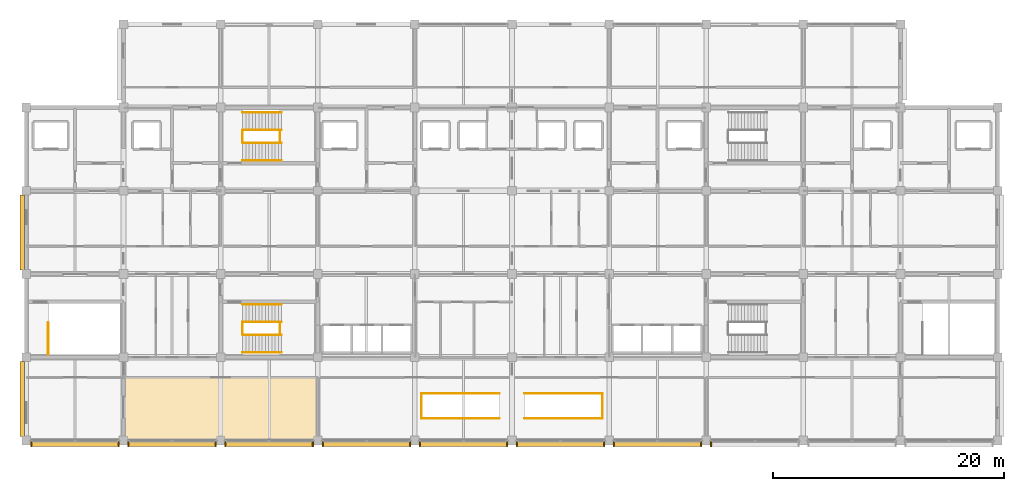
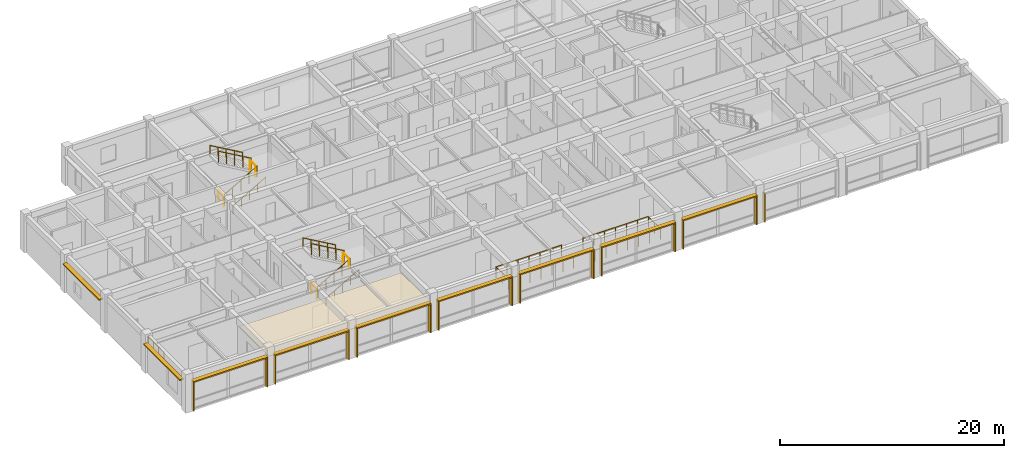
# One storey, part 21 of 23: 24 shading devices, 19 railings, 1 covering.
"""IFC4 building model written with IfcOpenShell, lengths in metres."""

from ifc_helpers import new_model, si_unit, direction, frame, origin, origin_2d, place, context, subcontext, project, spatial, polyline, rectangle, circle, outline, extrude, material, layer, layer_set, type_object, element, save


model = new_model("IFC4")

# Units and contexts
model_context = context("Model", 3, precision=1e-05, world=origin(), true_north=direction((0.0, 1.0)))
body_context = subcontext(model_context, "Body", "Model", "MODEL_VIEW")
ifc_project = project(units=[si_unit("LENGTHUNIT", "METRE"), si_unit("AREAUNIT", "SQUARE_METRE"), si_unit("VOLUMEUNIT", "CUBIC_METRE"), si_unit("PLANEANGLEUNIT", "RADIAN"), si_unit("MASSUNIT", "GRAM", prefix="KILO")], contexts=[model_context])

# Site, building, storey
site_placement = place(None, origin())
site = spatial("IfcSite", under=ifc_project, at=site_placement, CompositionType="ELEMENT")
building_placement = place(site_placement, origin())
building = spatial("IfcBuilding", under=site, at=building_placement, Name="Chengyuan Square Courthouse", CompositionType="ELEMENT")
storey_placement = place(building_placement, frame((0.0, 0.0, 43.5)))
storey = spatial("IfcBuildingStorey", under=building, at=storey_placement, Name="L10", CompositionType="ELEMENT", Elevation=43.5)

# Covering
ifc_material_1 = material(Name="Perforated Larch Glulam Acoustic Slat Ceiling", Category="wood")
ifc_layer = layer(ifc_material_1, 0.044921875)
ifc_layer_set = layer_set([ifc_layer], Name="Perforated Larch Glulam Acoustic Slat Ceiling")
covering_type = type_object("IfcCoveringType", Name="CLG-01", PredefinedType="CEILING", material=ifc_layer_set)
covering_placement = place(storey_placement, frame((0.0, 0.0, 2.85009765625)))
element("IfcCovering", 1, at=covering_placement, inside=storey, type_object=covering_type, Name="Acoustic Timber Slat Ceiling CLG-L10-CRT-A1", PredefinedType="CEILING", context=body_context, shape_type="SweptSolid", body=[
    extrude(outline(polyline([(50.449951171875, 79.25), (67.14990234375, 79.25), (67.14990234375, 84.60009765625), (50.449951171875, 84.60009765625), (50.449951171875, 79.25)])), origin(), (0.0, 0.0, 1.0), 0.044921875),
])

# Railings
ifc_material_2 = material(Name="Tempered Glass and Timber Top-Rail Balustrade", Category="wood")
railing_type_1 = type_object("IfcRailingType", Name="RL-02", PredefinedType="BALUSTRADE", material=ifc_material_2)
for number, where, name in (
    (2, (60.68994140625, 105.0, 0.0), "Stair Floor Slot Guard ST-1 L10"),
    (3, (63.949951171875, 105.0, 2.10009765625), "Stair Landing Guard ST-1-L10"),
):
    element("IfcRailing", number, at=place(storey_placement, frame(where)), inside=storey, type_object=railing_type_1, Name=name, PredefinedType="BALUSTRADE", context=body_context, shape_type="SweptSolid", body=[
        extrude(circle(Radius=0.02392578125, at=origin_2d()), frame((0.0, 0.0, 1.17578125), z_axis=(0.0, 1.0, 0.0), x_axis=(-1.0, 0.0, 0.0)), (0.0, 0.0, 1.0), 1.0),
        extrude(circle(Radius=0.02099609375, at=origin_2d()), origin(), (0.0, 0.0, 1.0), 1.15185546875),
        extrude(circle(Radius=0.02099609375, at=origin_2d()), frame((0.0, 1.0, 0.0)), (0.0, 0.0, 1.0), 1.15185546875),
    ])
railing_1_placement = place(storey_placement, frame((60.7099609375, 104.949951171875, 0.16162109375)))
element("IfcRailing", 4, at=railing_1_placement, inside=storey, type_object=railing_type_1, Name="Stair Flight 1 Guard ST-1-L10", PredefinedType="BALUSTRADE", context=body_context, shape_type="SweptSolid", body=[
    extrude(circle(Radius=0.02392578125, at=origin_2d()), frame((0.0, 0.0, 1.17578125), z_axis=(0.866190824863, 0.0, 0.499713372768), x_axis=(0.0, 1.0, 0.0)), (0.0, 0.0, 1.0), 3.879150390625),
    extrude(circle(Radius=0.02099609375, at=origin_2d()), origin(), (0.0, 0.0, 1.0), 1.15185546875),
    extrude(circle(Radius=0.02099609375, at=origin_2d()), frame((0.840087890625, 0.0, 0.484619140625)), (0.0, 0.0, 1.0), 1.15185546875),
    extrude(circle(Radius=0.02099609375, at=origin_2d()), frame((1.68017578125, 0.0, 0.96923828125)), (0.0, 0.0, 1.0), 1.15185546875),
    extrude(circle(Radius=0.02099609375, at=origin_2d()), frame((2.52001953125, 0.0, 1.453857421875)), (0.0, 0.0, 1.0), 1.15185546875),
    extrude(circle(Radius=0.02099609375, at=origin_2d()), frame((3.360107421875, 0.0, 1.9384765625)), (0.0, 0.0, 1.0), 1.15185546875),
])
railing_2_placement = place(storey_placement, frame((64.070068359375, 106.050048828125, 2.261474609375)))
element("IfcRailing", 5, at=railing_2_placement, inside=storey, type_object=railing_type_1, Name="Stair Flight 2 Guard ST-1-L10", PredefinedType="BALUSTRADE", context=body_context, shape_type="SweptSolid", body=[
    extrude(circle(Radius=0.02392578125, at=origin_2d()), frame((0.0, 0.0, 1.17578125), z_axis=(-0.866190824863, 0.0, 0.499713372768), x_axis=(0.0, -1.0, 0.0)), (0.0, 0.0, 1.0), 3.879150390625),
    extrude(circle(Radius=0.02099609375, at=origin_2d()), origin(), (0.0, 0.0, 1.0), 1.15185546875),
    extrude(circle(Radius=0.02099609375, at=origin_2d()), frame((-0.840087890625, 0.0, 0.484619140625)), (0.0, 0.0, 1.0), 1.15185546875),
    extrude(circle(Radius=0.02099609375, at=origin_2d()), frame((-1.68017578125, 0.0, 0.96923828125)), (0.0, 0.0, 1.0), 1.15185546875),
    extrude(circle(Radius=0.02099609375, at=origin_2d()), frame((-2.52001953125, 0.0, 1.453857421875)), (0.0, 0.0, 1.0), 1.15185546875),
    extrude(circle(Radius=0.02099609375, at=origin_2d()), frame((-3.360107421875, 0.0, 1.9384765625)), (0.0, 0.0, 1.0), 1.15185546875),
])
for number, where, name in (
    (6, (60.68994140625, 88.39990234375, 0.0), "Stair Floor Slot Guard ST-3 L10"),
    (7, (63.949951171875, 88.39990234375, 2.10009765625), "Stair Landing Guard ST-3-L10"),
):
    element("IfcRailing", number, at=place(storey_placement, frame(where)), inside=storey, type_object=railing_type_1, Name=name, PredefinedType="BALUSTRADE", context=body_context, shape_type="SweptSolid", body=[
        extrude(circle(Radius=0.02392578125, at=origin_2d()), frame((0.0, 0.0, 1.17578125), z_axis=(0.0, 1.0, 0.0), x_axis=(-1.0, 0.0, 0.0)), (0.0, 0.0, 1.0), 1.0),
        extrude(circle(Radius=0.02099609375, at=origin_2d()), origin(), (0.0, 0.0, 1.0), 1.15185546875),
        extrude(circle(Radius=0.02099609375, at=origin_2d()), frame((0.0, 1.0, 0.0)), (0.0, 0.0, 1.0), 1.15185546875),
    ])
railing_3_placement = place(storey_placement, frame((60.7099609375, 88.35009765625, 0.16162109375)))
element("IfcRailing", 8, at=railing_3_placement, inside=storey, type_object=railing_type_1, Name="Stair Flight 1 Guard ST-3-L10", PredefinedType="BALUSTRADE", context=body_context, shape_type="SweptSolid", body=[
    extrude(circle(Radius=0.02392578125, at=origin_2d()), frame((0.0, 0.0, 1.17578125), z_axis=(0.866190824863, 0.0, 0.499713372768), x_axis=(0.0, 1.0, 0.0)), (0.0, 0.0, 1.0), 3.879150390625),
    extrude(circle(Radius=0.02099609375, at=origin_2d()), origin(), (0.0, 0.0, 1.0), 1.15185546875),
    extrude(circle(Radius=0.02099609375, at=origin_2d()), frame((0.840087890625, 0.0, 0.484619140625)), (0.0, 0.0, 1.0), 1.15185546875),
    extrude(circle(Radius=0.02099609375, at=origin_2d()), frame((1.68017578125, 0.0, 0.96923828125)), (0.0, 0.0, 1.0), 1.15185546875),
    extrude(circle(Radius=0.02099609375, at=origin_2d()), frame((2.52001953125, 0.0, 1.453857421875)), (0.0, 0.0, 1.0), 1.15185546875),
    extrude(circle(Radius=0.02099609375, at=origin_2d()), frame((3.360107421875, 0.0, 1.9384765625)), (0.0, 0.0, 1.0), 1.15185546875),
])
railing_4_placement = place(storey_placement, frame((64.070068359375, 89.449951171875, 2.261474609375)))
element("IfcRailing", 9, at=railing_4_placement, inside=storey, type_object=railing_type_1, Name="Stair Flight 2 Guard ST-3-L10", PredefinedType="BALUSTRADE", context=body_context, shape_type="SweptSolid", body=[
    extrude(circle(Radius=0.02392578125, at=origin_2d()), frame((0.0, 0.0, 1.17578125), z_axis=(-0.866190824863, 0.0, 0.499713372768), x_axis=(0.0, -1.0, 0.0)), (0.0, 0.0, 1.0), 3.879150390625),
    extrude(circle(Radius=0.02099609375, at=origin_2d()), origin(), (0.0, 0.0, 1.0), 1.15185546875),
    extrude(circle(Radius=0.02099609375, at=origin_2d()), frame((-0.840087890625, 0.0, 0.484619140625)), (0.0, 0.0, 1.0), 1.15185546875),
    extrude(circle(Radius=0.02099609375, at=origin_2d()), frame((-1.68017578125, 0.0, 0.96923828125)), (0.0, 0.0, 1.0), 1.15185546875),
    extrude(circle(Radius=0.02099609375, at=origin_2d()), frame((-2.52001953125, 0.0, 1.453857421875)), (0.0, 0.0, 1.0), 1.15185546875),
    extrude(circle(Radius=0.02099609375, at=origin_2d()), frame((-3.360107421875, 0.0, 1.9384765625)), (0.0, 0.0, 1.0), 1.15185546875),
])
railing_5_placement = place(storey_placement, frame((43.889892578125, 86.64990234375, 0.0)))
element("IfcRailing", 10, at=railing_5_placement, inside=storey, type_object=railing_type_1, Name="Stair Top Landing Guard ST-5 L10", PredefinedType="BALUSTRADE", context=body_context, shape_type="SweptSolid", body=[
    extrude(circle(Radius=0.02392578125, at=origin_2d()), frame((0.0, 0.0, 1.17578125), z_axis=(0.0, 1.0, 0.0), x_axis=(-1.0, 0.0, 0.0)), (0.0, 0.0, 1.0), 2.75),
    extrude(circle(Radius=0.02099609375, at=origin_2d()), origin(), (0.0, 0.0, 1.0), 1.15185546875),
    extrude(circle(Radius=0.02099609375, at=origin_2d()), frame((0.0, 0.916748046875, 0.0)), (0.0, 0.0, 1.0), 1.15185546875),
    extrude(circle(Radius=0.02099609375, at=origin_2d()), frame((0.0, 1.833251953125, 0.0)), (0.0, 0.0, 1.0), 1.15185546875),
    extrude(circle(Radius=0.02099609375, at=origin_2d()), frame((0.0, 2.75, 0.0)), (0.0, 0.0, 1.0), 1.15185546875),
])
railing_6_placement = place(storey_placement, frame((82.89990234375, 81.1201171875, 0.0)))
element("IfcRailing", 11, at=railing_6_placement, inside=storey, type_object=railing_type_1, Name="Feature Stair Well Guard ST-11C S", PredefinedType="BALUSTRADE", context=body_context, shape_type="SweptSolid", body=[
    extrude(circle(Radius=0.02392578125, at=origin_2d()), frame((0.0, 0.0, 1.17578125), z_axis=(-1.0, 0.0, 0.0), x_axis=(0.0, -1.0, 0.0)), (0.0, 0.0, 1.0), 6.72998046875),
    extrude(circle(Radius=0.02099609375, at=origin_2d()), origin(), (0.0, 0.0, 1.0), 1.15185546875),
    extrude(circle(Radius=0.02099609375, at=origin_2d()), frame((-1.12158203125, 0.0, 0.0)), (0.0, 0.0, 1.0), 1.15185546875),
    extrude(circle(Radius=0.02099609375, at=origin_2d()), frame((-2.243408203125, 0.0, 0.0)), (0.0, 0.0, 1.0), 1.15185546875),
    extrude(circle(Radius=0.02099609375, at=origin_2d()), frame((-3.364990234375, 0.0, 0.0)), (0.0, 0.0, 1.0), 1.15185546875),
    extrude(circle(Radius=0.02099609375, at=origin_2d()), frame((-4.486572265625, 0.0, 0.0)), (0.0, 0.0, 1.0), 1.15185546875),
    extrude(circle(Radius=0.02099609375, at=origin_2d()), frame((-5.6083984375, 0.0, 0.0)), (0.0, 0.0, 1.0), 1.15185546875),
    extrude(circle(Radius=0.02099609375, at=origin_2d()), frame((-6.72998046875, 0.0, 0.0)), (0.0, 0.0, 1.0), 1.15185546875),
])
railing_7_placement = place(storey_placement, frame((76.169921875, 81.1201171875, 0.0)))
element("IfcRailing", 12, at=railing_7_placement, inside=storey, type_object=railing_type_1, Name="Feature Stair Well Guard ST-11C W", PredefinedType="BALUSTRADE", context=body_context, shape_type="SweptSolid", body=[
    extrude(circle(Radius=0.02392578125, at=origin_2d()), frame((0.0, 0.0, 1.17578125), z_axis=(0.0, 1.0, 0.0), x_axis=(-1.0, 0.0, 0.0)), (0.0, 0.0, 1.0), 2.159912109375),
    extrude(circle(Radius=0.02099609375, at=origin_2d()), origin(), (0.0, 0.0, 1.0), 1.15185546875),
    extrude(circle(Radius=0.02099609375, at=origin_2d()), frame((0.0, 1.080078125, 0.0)), (0.0, 0.0, 1.0), 1.15185546875),
    extrude(circle(Radius=0.02099609375, at=origin_2d()), frame((0.0, 2.159912109375, 0.0)), (0.0, 0.0, 1.0), 1.15185546875),
])
for number, where, name in (
    (13, (76.169921875, 83.280029296875, 0.0), "Feature Stair Well Guard ST-11C N"),
    (14, (85.10009765625, 81.1201171875, 0.0), "Feature Stair Well Guard ST-11D S"),
):
    element("IfcRailing", number, at=place(storey_placement, frame(where)), inside=storey, type_object=railing_type_1, Name=name, PredefinedType="BALUSTRADE", context=body_context, shape_type="SweptSolid", body=[
        extrude(circle(Radius=0.02392578125, at=origin_2d()), frame((0.0, 0.0, 1.17578125), z_axis=(1.0, 0.0, 0.0), x_axis=(0.0, 1.0, 0.0)), (0.0, 0.0, 1.0), 6.72998046875),
        extrude(circle(Radius=0.02099609375, at=origin_2d()), origin(), (0.0, 0.0, 1.0), 1.15185546875),
        extrude(circle(Radius=0.02099609375, at=origin_2d()), frame((1.12158203125, 0.0, 0.0)), (0.0, 0.0, 1.0), 1.15185546875),
        extrude(circle(Radius=0.02099609375, at=origin_2d()), frame((2.243408203125, 0.0, 0.0)), (0.0, 0.0, 1.0), 1.15185546875),
        extrude(circle(Radius=0.02099609375, at=origin_2d()), frame((3.364990234375, 0.0, 0.0)), (0.0, 0.0, 1.0), 1.15185546875),
        extrude(circle(Radius=0.02099609375, at=origin_2d()), frame((4.486572265625, 0.0, 0.0)), (0.0, 0.0, 1.0), 1.15185546875),
        extrude(circle(Radius=0.02099609375, at=origin_2d()), frame((5.6083984375, 0.0, 0.0)), (0.0, 0.0, 1.0), 1.15185546875),
        extrude(circle(Radius=0.02099609375, at=origin_2d()), frame((6.72998046875, 0.0, 0.0)), (0.0, 0.0, 1.0), 1.15185546875),
    ])
railing_8_placement = place(storey_placement, frame((91.830078125, 81.1201171875, 0.0)))
element("IfcRailing", 15, at=railing_8_placement, inside=storey, type_object=railing_type_1, Name="Feature Stair Well Guard ST-11D E", PredefinedType="BALUSTRADE", context=body_context, shape_type="SweptSolid", body=[
    extrude(circle(Radius=0.02392578125, at=origin_2d()), frame((0.0, 0.0, 1.17578125), z_axis=(0.0, 1.0, 0.0), x_axis=(-1.0, 0.0, 0.0)), (0.0, 0.0, 1.0), 2.159912109375),
    extrude(circle(Radius=0.02099609375, at=origin_2d()), origin(), (0.0, 0.0, 1.0), 1.15185546875),
    extrude(circle(Radius=0.02099609375, at=origin_2d()), frame((0.0, 1.080078125, 0.0)), (0.0, 0.0, 1.0), 1.15185546875),
    extrude(circle(Radius=0.02099609375, at=origin_2d()), frame((0.0, 2.159912109375, 0.0)), (0.0, 0.0, 1.0), 1.15185546875),
])
railing_9_placement = place(storey_placement, frame((91.830078125, 83.280029296875, 0.0)))
element("IfcRailing", 16, at=railing_9_placement, inside=storey, type_object=railing_type_1, Name="Feature Stair Well Guard ST-11D N", PredefinedType="BALUSTRADE", context=body_context, shape_type="SweptSolid", body=[
    extrude(circle(Radius=0.02392578125, at=origin_2d()), frame((0.0, 0.0, 1.17578125), z_axis=(-1.0, 0.0, 0.0), x_axis=(0.0, -1.0, 0.0)), (0.0, 0.0, 1.0), 6.72998046875),
    extrude(circle(Radius=0.02099609375, at=origin_2d()), origin(), (0.0, 0.0, 1.0), 1.15185546875),
    extrude(circle(Radius=0.02099609375, at=origin_2d()), frame((-1.12158203125, 0.0, 0.0)), (0.0, 0.0, 1.0), 1.15185546875),
    extrude(circle(Radius=0.02099609375, at=origin_2d()), frame((-2.243408203125, 0.0, 0.0)), (0.0, 0.0, 1.0), 1.15185546875),
    extrude(circle(Radius=0.02099609375, at=origin_2d()), frame((-3.364990234375, 0.0, 0.0)), (0.0, 0.0, 1.0), 1.15185546875),
    extrude(circle(Radius=0.02099609375, at=origin_2d()), frame((-4.486572265625, 0.0, 0.0)), (0.0, 0.0, 1.0), 1.15185546875),
    extrude(circle(Radius=0.02099609375, at=origin_2d()), frame((-5.6083984375, 0.0, 0.0)), (0.0, 0.0, 1.0), 1.15185546875),
    extrude(circle(Radius=0.02099609375, at=origin_2d()), frame((-6.72998046875, 0.0, 0.0)), (0.0, 0.0, 1.0), 1.15185546875),
])
ifc_material_3 = material(Name="Stainless Steel S30408 Stair Handrail", Category="steel")
railing_type_2 = type_object("IfcRailingType", Name="RL-04", PredefinedType="HANDRAIL", material=ifc_material_3)
railing_10_placement = place(storey_placement, frame((60.7099609375, 103.419921875, 0.16162109375)))
element("IfcRailing", 17, at=railing_10_placement, inside=storey, type_object=railing_type_2, Name="Stair Flight 1 Handrail ST-1-L10", PredefinedType="HANDRAIL", context=body_context, shape_type="SweptSolid", body=[
    extrude(circle(Radius=0.02392578125, at=origin_2d()), frame((0.0, 0.0, 0.8759765625), z_axis=(0.866190824863, 0.0, 0.499713372768), x_axis=(0.0, 1.0, 0.0)), (0.0, 0.0, 1.0), 3.879150390625),
    extrude(circle(Radius=0.02099609375, at=origin_2d()), origin(), (0.0, 0.0, 1.0), 0.851806640625),
    extrude(circle(Radius=0.02099609375, at=origin_2d()), frame((0.840087890625, 0.0, 0.484619140625)), (0.0, 0.0, 1.0), 0.851806640625),
    extrude(circle(Radius=0.02099609375, at=origin_2d()), frame((1.68017578125, 0.0, 0.96923828125)), (0.0, 0.0, 1.0), 0.851806640625),
    extrude(circle(Radius=0.02099609375, at=origin_2d()), frame((2.52001953125, 0.0, 1.453857421875)), (0.0, 0.0, 1.0), 0.851806640625),
    extrude(circle(Radius=0.02099609375, at=origin_2d()), frame((3.360107421875, 0.0, 1.9384765625)), (0.0, 0.0, 1.0), 0.851806640625),
])
railing_11_placement = place(storey_placement, frame((64.070068359375, 107.580078125, 2.261474609375)))
element("IfcRailing", 18, at=railing_11_placement, inside=storey, type_object=railing_type_2, Name="Stair Flight 2 Handrail ST-1-L10", PredefinedType="HANDRAIL", context=body_context, shape_type="SweptSolid", body=[
    extrude(circle(Radius=0.02392578125, at=origin_2d()), frame((0.0, 0.0, 0.8759765625), z_axis=(-0.866190824863, 0.0, 0.499713372768), x_axis=(0.0, -1.0, 0.0)), (0.0, 0.0, 1.0), 3.879150390625),
    extrude(circle(Radius=0.02099609375, at=origin_2d()), origin(), (0.0, 0.0, 1.0), 0.851806640625),
    extrude(circle(Radius=0.02099609375, at=origin_2d()), frame((-0.840087890625, 0.0, 0.484619140625)), (0.0, 0.0, 1.0), 0.851806640625),
    extrude(circle(Radius=0.02099609375, at=origin_2d()), frame((-1.68017578125, 0.0, 0.96923828125)), (0.0, 0.0, 1.0), 0.851806640625),
    extrude(circle(Radius=0.02099609375, at=origin_2d()), frame((-2.52001953125, 0.0, 1.453857421875)), (0.0, 0.0, 1.0), 0.851806640625),
    extrude(circle(Radius=0.02099609375, at=origin_2d()), frame((-3.360107421875, 0.0, 1.9384765625)), (0.0, 0.0, 1.0), 0.851806640625),
])
railing_12_placement = place(storey_placement, frame((60.7099609375, 86.820068359375, 0.16162109375)))
element("IfcRailing", 19, at=railing_12_placement, inside=storey, type_object=railing_type_2, Name="Stair Flight 1 Handrail ST-3-L10", PredefinedType="HANDRAIL", context=body_context, shape_type="SweptSolid", body=[
    extrude(circle(Radius=0.02392578125, at=origin_2d()), frame((0.0, 0.0, 0.8759765625), z_axis=(0.866190824863, 0.0, 0.499713372768), x_axis=(0.0, 1.0, 0.0)), (0.0, 0.0, 1.0), 3.879150390625),
    extrude(circle(Radius=0.02099609375, at=origin_2d()), origin(), (0.0, 0.0, 1.0), 0.851806640625),
    extrude(circle(Radius=0.02099609375, at=origin_2d()), frame((0.840087890625, 0.0, 0.484619140625)), (0.0, 0.0, 1.0), 0.851806640625),
    extrude(circle(Radius=0.02099609375, at=origin_2d()), frame((1.68017578125, 0.0, 0.96923828125)), (0.0, 0.0, 1.0), 0.851806640625),
    extrude(circle(Radius=0.02099609375, at=origin_2d()), frame((2.52001953125, 0.0, 1.453857421875)), (0.0, 0.0, 1.0), 0.851806640625),
    extrude(circle(Radius=0.02099609375, at=origin_2d()), frame((3.360107421875, 0.0, 1.9384765625)), (0.0, 0.0, 1.0), 0.851806640625),
])
railing_13_placement = place(storey_placement, frame((64.070068359375, 90.97998046875, 2.261474609375)))
element("IfcRailing", 20, at=railing_13_placement, inside=storey, type_object=railing_type_2, Name="Stair Flight 2 Handrail ST-3-L10", PredefinedType="HANDRAIL", context=body_context, shape_type="SweptSolid", body=[
    extrude(circle(Radius=0.02392578125, at=origin_2d()), frame((0.0, 0.0, 0.8759765625), z_axis=(-0.866190824863, 0.0, 0.499713372768), x_axis=(0.0, -1.0, 0.0)), (0.0, 0.0, 1.0), 3.879150390625),
    extrude(circle(Radius=0.02099609375, at=origin_2d()), origin(), (0.0, 0.0, 1.0), 0.851806640625),
    extrude(circle(Radius=0.02099609375, at=origin_2d()), frame((-0.840087890625, 0.0, 0.484619140625)), (0.0, 0.0, 1.0), 0.851806640625),
    extrude(circle(Radius=0.02099609375, at=origin_2d()), frame((-1.68017578125, 0.0, 0.96923828125)), (0.0, 0.0, 1.0), 0.851806640625),
    extrude(circle(Radius=0.02099609375, at=origin_2d()), frame((-2.52001953125, 0.0, 1.453857421875)), (0.0, 0.0, 1.0), 0.851806640625),
    extrude(circle(Radius=0.02099609375, at=origin_2d()), frame((-3.360107421875, 0.0, 1.9384765625)), (0.0, 0.0, 1.0), 0.851806640625),
])

# Shading devices
ifc_material_4 = material(Name="Glulam TCt28 Solar Shading Fin", Category="wood")
shading_device_type_1 = type_object("IfcShadingDeviceType", Name="SHD-01", PredefinedType="JALOUSIE", material=ifc_material_4)
for number, where, z_axis, x_axis, name in (
    (21, (42.4150390625, 78.887939453125, 0.0400390625), (0.0, 0.0, 1.0), (0.0, 1.0, 0.0), "Glulam Solar Fin SHD-L10-0755"),
    (22, (49.985107421875, 78.887939453125, 0.0400390625), (0.0, 0.0, 1.0), (0.0, 1.0, 0.0), "Glulam Solar Fin SHD-L10-0756"),
):
    element("IfcShadingDevice", number, at=place(storey_placement, frame(where, z_axis=z_axis, x_axis=x_axis)), inside=storey, type_object=shading_device_type_1, Name=name, PredefinedType="JALOUSIE", context=body_context, shape_type="SweptSolid", body=[
        extrude(rectangle(XDim=0.419921875, YDim=0.094970703125, at=origin_2d()), origin(), (0.0, 0.0, 1.0), 3.139892578125),
    ])
for number, where, z_axis, x_axis, name in (
    (23, (50.81494140625, 78.887939453125, 0.0400390625), (0.0, 0.0, 1.0), (0.0, 1.0, 0.0), "Glulam Solar Fin SHD-L10-0760"),
    (24, (58.385009765625, 78.887939453125, 0.0400390625), (0.0, 0.0, 1.0), (0.0, 1.0, 0.0), "Glulam Solar Fin SHD-L10-0761"),
    (25, (59.215087890625, 78.887939453125, 0.0400390625), (0.0, 0.0, 1.0), (0.0, 1.0, 0.0), "Glulam Solar Fin SHD-L10-0764"),
    (26, (66.784912109375, 78.887939453125, 0.0400390625), (0.0, 0.0, 1.0), (0.0, 1.0, 0.0), "Glulam Solar Fin SHD-L10-0765"),
    (27, (67.614990234375, 78.887939453125, 0.0400390625), (0.0, 0.0, 1.0), (0.0, 1.0, 0.0), "Glulam Solar Fin SHD-L10-0767"),
    (28, (75.18505859375, 78.887939453125, 0.0400390625), (0.0, 0.0, 1.0), (0.0, 1.0, 0.0), "Glulam Solar Fin SHD-L10-0768"),
    (29, (76.014892578125, 78.887939453125, 0.0400390625), (0.0, 0.0, 1.0), (0.0, 1.0, 0.0), "Glulam Solar Fin SHD-L10-0770"),
    (30, (83.5849609375, 78.887939453125, 0.0400390625), (0.0, 0.0, 1.0), (0.0, 1.0, 0.0), "Glulam Solar Fin SHD-L10-0771"),
    (31, (84.4150390625, 78.887939453125, 0.0400390625), (0.0, 0.0, 1.0), (0.0, 1.0, 0.0), "Glulam Solar Fin SHD-L10-0773"),
    (32, (91.985107421875, 78.887939453125, 0.0400390625), (0.0, 0.0, 1.0), (0.0, 1.0, 0.0), "Glulam Solar Fin SHD-L10-0774"),
    (33, (92.81494140625, 78.887939453125, 0.0400390625), (0.0, 0.0, 1.0), (0.0, 1.0, 0.0), "Glulam Solar Fin SHD-L10-0776"),
    (34, (100.385009765625, 78.887939453125, 0.0400390625), (0.0, 0.0, 1.0), (0.0, 1.0, 0.0), "Glulam Solar Fin SHD-L10-0777"),
    (35, (101.215087890625, 78.887939453125, 0.0400390625), (0.0, 0.0, 1.0), (0.0, 1.0, 0.0), "Glulam Solar Fin SHD-L10-0779"),
):
    element("IfcShadingDevice", number, at=place(storey_placement, frame(where, z_axis=z_axis, x_axis=x_axis)), inside=storey, type_object=shading_device_type_1, Name=name, PredefinedType="JALOUSIE", context=body_context, shape_type="SweptSolid", body=[
        extrude(rectangle(XDim=0.419921875, YDim=0.094970703125, at=origin_2d()), origin(), (0.0, 0.0, 1.0), 3.090087890625),
    ])
ifc_material_5 = material(Name="Glulam TCt28 Sunshade Louvre", Category="wood")
shading_device_type_2 = type_object("IfcShadingDeviceType", Name="SHD-02", PredefinedType="AWNING", material=ifc_material_5)
for number, where, z_axis, x_axis, name in (
    (36, (46.199951171875, 78.887939453125, 3.18017578125), (0.0, 0.0, 1.0), (1.0, 0.0, 0.0), "Glulam Sunshade Louvre SHD-L10-0757"),
    (37, (54.60009765625, 78.887939453125, 3.1298828125), (0.0, 0.0, 1.0), (1.0, 0.0, 0.0), "Glulam Sunshade Louvre SHD-L10-0762"),
    (38, (63.0, 78.887939453125, 3.1298828125), (0.0, 0.0, 1.0), (1.0, 0.0, 0.0), "Glulam Sunshade Louvre SHD-L10-0766"),
    (39, (71.39990234375, 78.887939453125, 3.1298828125), (0.0, 0.0, 1.0), (1.0, 0.0, 0.0), "Glulam Sunshade Louvre SHD-L10-0769"),
    (40, (79.800048828125, 78.887939453125, 3.1298828125), (0.0, 0.0, 1.0), (1.0, 0.0, 0.0), "Glulam Sunshade Louvre SHD-L10-0772"),
    (41, (88.199951171875, 78.887939453125, 3.1298828125), (0.0, 0.0, 1.0), (1.0, 0.0, 0.0), "Glulam Sunshade Louvre SHD-L10-0775"),
    (42, (96.60009765625, 78.887939453125, 3.1298828125), (0.0, 0.0, 1.0), (1.0, 0.0, 0.0), "Glulam Sunshade Louvre SHD-L10-0778"),
):
    element("IfcShadingDevice", number, at=place(storey_placement, frame(where, z_axis=z_axis, x_axis=x_axis)), inside=storey, type_object=shading_device_type_2, Name=name, PredefinedType="AWNING", context=body_context, shape_type="SweptSolid", body=[
        extrude(rectangle(XDim=7.64990234375, YDim=0.43994140625, at=origin_2d()), origin(), (0.0, 0.0, 1.0), 0.139892578125),
    ])
ifc_material_6 = material(Name="Glulam TCt28 Facade Sunshade", Category="wood")
shading_device_type_3 = type_object("IfcShadingDeviceType", Name="SHD-03", PredefinedType="AWNING", material=ifc_material_6)
for number, where, z_axis, x_axis, name in (
    (43, (41.64794921875, 82.800048828125, 3.16015625), (0.0, 0.0, 1.0), (0.0, 1.0, 0.0), "Glulam Facade Sunshade SHD-L10-0758"),
    (44, (41.64794921875, 97.199951171875, 3.16015625), (0.0, 0.0, 1.0), (0.0, 1.0, 0.0), "Glulam Facade Sunshade SHD-L10-0759"),
):
    element("IfcShadingDevice", number, at=place(storey_placement, frame(where, z_axis=z_axis, x_axis=x_axis)), inside=storey, type_object=shading_device_type_3, Name=name, PredefinedType="AWNING", context=body_context, shape_type="SweptSolid", body=[
        extrude(rectangle(XDim=6.4599609375, YDim=0.39990234375, at=origin_2d()), origin(), (0.0, 0.0, 1.0), 0.139892578125),
    ])

save(model, "model.ifc")
